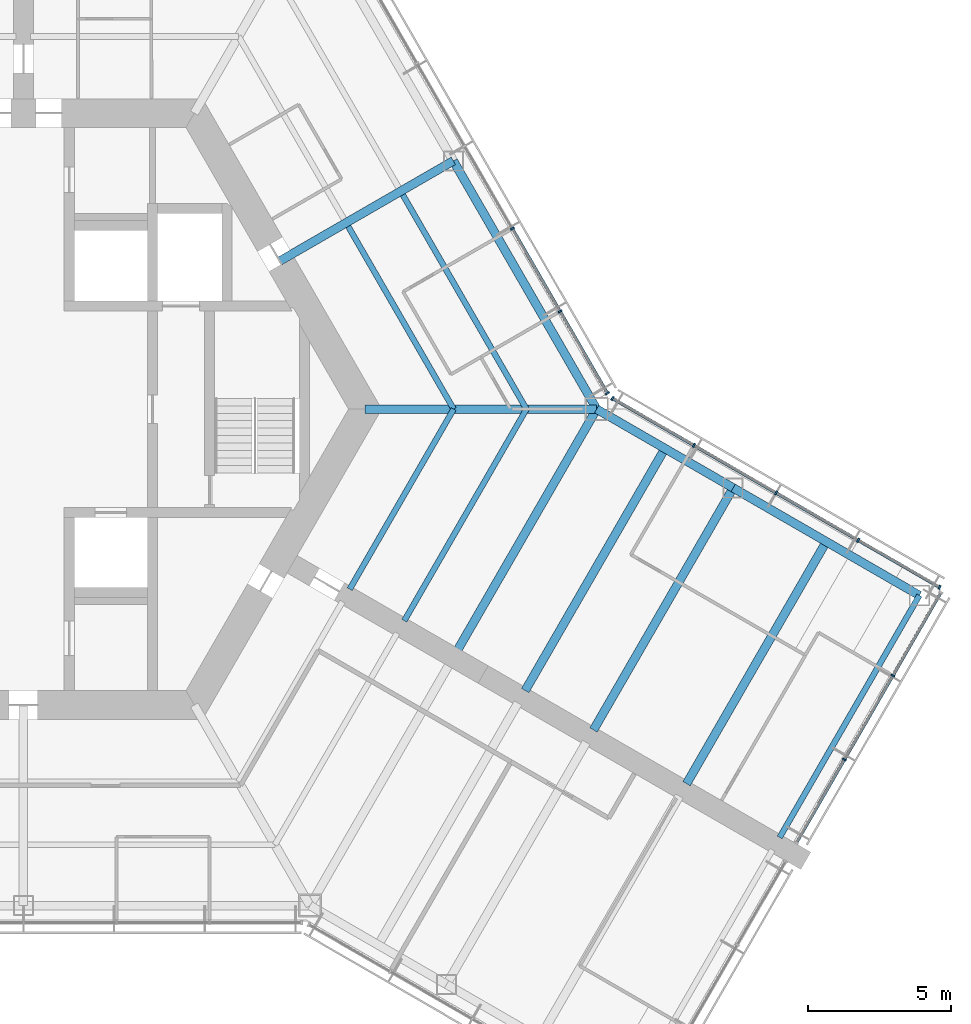
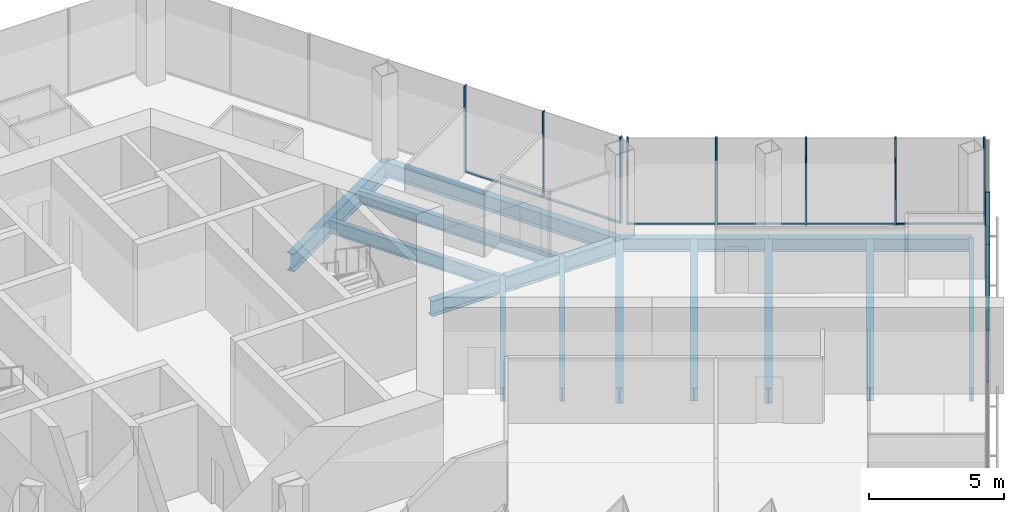
# One storey, part 6 of 18: 19 members, 14 beams, 3 elements without a shape of their own.
"""IFC4 building model written with IfcOpenShell, lengths in metres."""

from ifc_helpers import new_model, si_unit, direction, frame, origin, origin_2d, place, context, subcontext, project, spatial, rectangle, i_section, extrude, material, material_profile, profile_set, type_object, element, aggregate, save


model = new_model("IFC4")

# Units and contexts
model_context = context("Model", 3, precision=1e-05, world=origin(), true_north=direction((0.0, 1.0)))
body_context = subcontext(model_context, "Body", "Model", "MODEL_VIEW")
ifc_project = project(units=[si_unit("LENGTHUNIT", "METRE"), si_unit("AREAUNIT", "SQUARE_METRE"), si_unit("VOLUMEUNIT", "CUBIC_METRE"), si_unit("PLANEANGLEUNIT", "RADIAN"), si_unit("MASSUNIT", "GRAM", prefix="KILO")], contexts=[model_context])

# Site, building, storey
site_placement = place(None, origin())
site = spatial("IfcSite", under=ifc_project, at=site_placement, CompositionType="ELEMENT")
building_placement = place(site_placement, origin())
building = spatial("IfcBuilding", under=site, at=building_placement, Name="Kasaneha Research Tower", CompositionType="ELEMENT")
storey_placement = place(building_placement, frame((0.0, 0.0, 179.89990234375)))
storey = spatial("IfcBuildingStorey", under=building, at=storey_placement, Name="L45", CompositionType="ELEMENT", Elevation=179.89990234375)

# Beams
ifc_material_1 = material(Name="Steel SN490B", Category="steel")
ifc_material_profile_1 = material_profile(ifc_material_1, i_section(OverallWidth=0.199951171875, OverallDepth=0.60009765625, WebThickness=0.010986328125, FlangeThickness=0.01708984375, FilletRadius=0.012939453125, at=origin_2d()), Name="H-600x200x11x17")
ifc_profile_set_1 = profile_set([ifc_material_profile_1], Name="Steel SN490B")
beam_type_1 = type_object("IfcBeamType", Name="B1-3 secondary beam H-600x200x11x17", PredefinedType="JOIST", material=ifc_profile_set_1)
beam_1_placement = place(storey_placement, frame((15.010986328125, 0.0, -0.449951171875), z_axis=(-0.499994443168, 0.866028611999, 0.0), x_axis=(-0.866028611999, -0.499994443168, 0.0)))
element("IfcBeam", 1, at=beam_1_placement, inside=storey, type_object=beam_type_1, Name="Secondary beam RS030L1 L45", PredefinedType="JOIST", context=body_context, shape_type="SweptSolid", body=[
    extrude(i_section(OverallWidth=0.199951171875, OverallDepth=0.60009765625, WebThickness=0.010986328125, FlangeThickness=0.01708984375, FilletRadius=0.012939453125, at=origin_2d()), origin(), (0.0, 0.0, 1.0), 7.35546875),
])
beam_2_placement = place(storey_placement, frame((17.551513671875, 0.0, -0.449951171875), z_axis=(-0.5000050195, 0.866022505755, 0.0), x_axis=(-0.866022505755, -0.5000050195, 0.0)))
element("IfcBeam", 2, at=beam_2_placement, inside=storey, type_object=beam_type_1, Name="Secondary beam RS030L2 L45", PredefinedType="JOIST", context=body_context, shape_type="SweptSolid", body=[
    extrude(i_section(OverallWidth=0.199951171875, OverallDepth=0.60009765625, WebThickness=0.010986328125, FlangeThickness=0.01708984375, FilletRadius=0.012939453125, at=origin_2d()), origin(), (0.0, 0.0, 1.0), 8.6259765625),
])
beam_3_placement = place(storey_placement, frame((15.010986328125, 0.0, -0.449951171875), z_axis=(-0.499993340521, -0.866029248602, 0.0), x_axis=(0.866029248602, -0.499993340521, 0.0)))
element("IfcBeam", 3, at=beam_3_placement, inside=storey, type_object=beam_type_1, Name="Secondary beam RS330R1 L45", PredefinedType="JOIST", context=body_context, shape_type="SweptSolid", body=[
    extrude(i_section(OverallWidth=0.199951171875, OverallDepth=0.60009765625, WebThickness=0.010986328125, FlangeThickness=0.01708984375, FilletRadius=0.012939453125, at=origin_2d()), origin(), (0.0, 0.0, 1.0), 7.25537109375),
])
beam_4_placement = place(storey_placement, frame((17.551513671875, 0.0, -0.449951171875), z_axis=(-0.500004205306, -0.866022975836, 0.0), x_axis=(0.866022975836, -0.500004205306, 0.0)))
element("IfcBeam", 4, at=beam_4_placement, inside=storey, type_object=beam_type_1, Name="Secondary beam RS330R2 L45", PredefinedType="JOIST", context=body_context, shape_type="SweptSolid", body=[
    extrude(i_section(OverallWidth=0.199951171875, OverallDepth=0.60009765625, WebThickness=0.010986328125, FlangeThickness=0.01708984375, FilletRadius=0.012939453125, at=origin_2d()), origin(), (0.0, 0.0, 1.0), 8.52587890625),
])
ifc_material_2 = material(Name="Steel SN490B", Category="steel")
ifc_material_profile_2 = material_profile(ifc_material_2, i_section(OverallWidth=0.300048828125, OverallDepth=0.58203125, WebThickness=0.011962890625, FlangeThickness=0.01708984375, FilletRadius=0.012939453125, at=origin_2d()), Name="H-582x300x12x17")
ifc_profile_set_2 = profile_set([ifc_material_profile_2], Name="Steel SN490B")
beam_type_2 = type_object("IfcBeamType", Name="B2-3 secondary beam H-582x300x12x17", PredefinedType="JOIST", material=ifc_profile_set_2)
for number, where, z_axis, x_axis, name in (
    (5, (22.381591796875, -1.375, -0.44091796875), (-0.499995560238, -0.866027967067, 0.0), (0.866027967067, -0.499995560238, 0.0), "Secondary beam WBCN1 L45"),
    (6, (28.0107421875, -4.625, -0.44091796875), (-0.499995560238, -0.866027967067, 0.0), (0.866027967067, -0.499995560238, 0.0), "Secondary beam WBCN2 L45"),
):
    element("IfcBeam", number, at=place(storey_placement, frame(where, z_axis=z_axis, x_axis=x_axis)), inside=storey, type_object=beam_type_2, Name=name, PredefinedType="JOIST", context=body_context, shape_type="SweptSolid", body=[
        extrude(i_section(OverallWidth=0.300048828125, OverallDepth=0.58203125, WebThickness=0.011962890625, FlangeThickness=0.01708984375, FilletRadius=0.012939453125, at=origin_2d()), origin(), (0.0, 0.0, 1.0), 9.75),
    ])

# Curtain wall, members
ifc_material_3 = material(Name="Glass and aluminium", Category="aluminium")
curtain_wall_type = type_object("IfcCurtainWallType", Name="Mid-rise office curtain wall", PredefinedType="USERDEFINED", material=ifc_material_3)
curtain_wall_1_placement = place(storey_placement, origin())
curtain_wall_1 = element("IfcCurtainWall", 7, at=curtain_wall_1_placement, inside=storey, type_object=curtain_wall_type, Name="CW-O2 L45 run 04a", ObjectType="UNITISED CURTAIN WALL", PredefinedType="USERDEFINED")
ifc_material_4 = material(Name="Aluminium 6063-T6", Category="aluminium")
ifc_material_profile_3 = material_profile(ifc_material_4, rectangle(XDim=0.06005859375, YDim=0.14990234375, at=origin_2d()), Name="CW-O2 mullion 60x150")
ifc_profile_set_3 = profile_set([ifc_material_profile_3], Name="Aluminium 6063-T6")
member_type_1 = type_object("IfcMemberType", Name="CW-O2 mullion", PredefinedType="MULLION", material=ifc_profile_set_3)
member_1_placement = place(storey_placement, frame((28.64453125, -12.22705078125, 0.0), z_axis=(0.0, 0.0, 1.0), x_axis=(0.500000011442, 0.866025397178, 0.0)))
member_1 = element("IfcMember", 8, at=member_1_placement, type_object=member_type_1, Name="CW-O2 mullion 2", PredefinedType="MULLION", context=body_context, shape_type="SweptSolid", body=[
    extrude(rectangle(XDim=0.06005859375, YDim=0.14990234375, at=origin_2d()), origin(), (0.0, 0.0, 1.0), 3.900146484375),
])
member_2_placement = place(storey_placement, frame((30.336181640625, -9.297119140625, 0.0), z_axis=(0.0, 0.0, 1.0), x_axis=(0.500000011442, 0.866025397178, 0.0)))
member_2 = element("IfcMember", 9, at=member_2_placement, type_object=member_type_1, Name="CW-O2 mullion 3", PredefinedType="MULLION", context=body_context, shape_type="SweptSolid", body=[
    extrude(rectangle(XDim=0.06005859375, YDim=0.14990234375, at=origin_2d()), origin(), (0.0, 0.0, 1.0), 3.900146484375),
])

curtain_wall_2_placement = place(storey_placement, origin())
curtain_wall_2 = element("IfcCurtainWall", 10, at=curtain_wall_2_placement, inside=storey, type_object=curtain_wall_type, Name="CW-O2 L45 run 05a", ObjectType="UNITISED CURTAIN WALL", PredefinedType="USERDEFINED")
member_3_placement = place(storey_placement, frame((31.96533203125, -6.21533203125, 0.0), z_axis=(0.0, 0.0, 1.0), x_axis=(-0.866025411464, 0.499999986699, 0.0)))
member_3 = element("IfcMember", 11, at=member_3_placement, type_object=member_type_1, Name="CW-O2 mullion 1", PredefinedType="MULLION", context=body_context, shape_type="SweptSolid", body=[
    extrude(rectangle(XDim=0.06005859375, YDim=0.14990234375, at=origin_2d()), origin(), (0.0, 0.0, 1.0), 3.900146484375),
])
member_4_placement = place(storey_placement, frame((29.125, -4.575439453125, 0.0), z_axis=(0.0, 0.0, 1.0), x_axis=(-0.866025411464, 0.499999986699, 0.0)))
member_4 = element("IfcMember", 12, at=member_4_placement, type_object=member_type_1, Name="CW-O2 mullion 2", PredefinedType="MULLION", context=body_context, shape_type="SweptSolid", body=[
    extrude(rectangle(XDim=0.06005859375, YDim=0.14990234375, at=origin_2d()), origin(), (0.0, 0.0, 1.0), 3.900146484375),
])
member_5_placement = place(storey_placement, frame((26.258544921875, -2.920654296875, 0.0), z_axis=(0.0, 0.0, 1.0), x_axis=(-0.866025411464, 0.499999986699, 0.0)))
member_5 = element("IfcMember", 13, at=member_5_placement, type_object=member_type_1, Name="CW-O2 mullion 3", PredefinedType="MULLION", context=body_context, shape_type="SweptSolid", body=[
    extrude(rectangle(XDim=0.06005859375, YDim=0.14990234375, at=origin_2d()), origin(), (0.0, 0.0, 1.0), 3.900146484375),
])
member_6_placement = place(storey_placement, frame((23.39208984375, -1.265625, 0.0), z_axis=(0.0, 0.0, 1.0), x_axis=(-0.866025411464, 0.499999986699, 0.0)))
member_6 = element("IfcMember", 14, at=member_6_placement, type_object=member_type_1, Name="CW-O2 mullion 4", PredefinedType="MULLION", context=body_context, shape_type="SweptSolid", body=[
    extrude(rectangle(XDim=0.06005859375, YDim=0.14990234375, at=origin_2d()), origin(), (0.0, 0.0, 1.0), 3.900146484375),
])
member_7_placement = place(storey_placement, frame((20.5517578125, 0.374267578125, 0.0), z_axis=(0.0, 0.0, 1.0), x_axis=(-0.866025411464, 0.499999986699, 0.0)))
member_7 = element("IfcMember", 15, at=member_7_placement, type_object=member_type_1, Name="CW-O2 mullion 5", PredefinedType="MULLION", context=body_context, shape_type="SweptSolid", body=[
    extrude(rectangle(XDim=0.06005859375, YDim=0.14990234375, at=origin_2d()), origin(), (0.0, 0.0, 1.0), 3.900146484375),
])

curtain_wall_3_placement = place(storey_placement, origin())
curtain_wall_3 = element("IfcCurtainWall", 16, at=curtain_wall_3_placement, inside=storey, type_object=curtain_wall_type, Name="CW-O2 L45 run 06a", ObjectType="UNITISED CURTAIN WALL", PredefinedType="USERDEFINED")
member_8_placement = place(storey_placement, frame((20.374267578125, 0.5517578125, 0.0), z_axis=(0.0, 0.0, 1.0), x_axis=(-0.499999979232, 0.866025415775, 0.0)))
member_8 = element("IfcMember", 17, at=member_8_placement, type_object=member_type_1, Name="CW-O2 mullion 1", PredefinedType="MULLION", context=body_context, shape_type="SweptSolid", body=[
    extrude(rectangle(XDim=0.06005859375, YDim=0.14990234375, at=origin_2d()), origin(), (0.0, 0.0, 1.0), 3.900146484375),
])
member_9_placement = place(storey_placement, frame((18.723876953125, 3.410400390625, 0.0), z_axis=(0.0, 0.0, 1.0), x_axis=(-0.499999979232, 0.866025415775, 0.0)))
member_9 = element("IfcMember", 18, at=member_9_placement, type_object=member_type_1, Name="CW-O2 mullion 2", PredefinedType="MULLION", context=body_context, shape_type="SweptSolid", body=[
    extrude(rectangle(XDim=0.06005859375, YDim=0.14990234375, at=origin_2d()), origin(), (0.0, 0.0, 1.0), 3.900146484375),
])
member_10_placement = place(storey_placement, frame((17.058349609375, 6.295166015625, 0.0), z_axis=(0.0, 0.0, 1.0), x_axis=(-0.499999979232, 0.866025415775, 0.0)))
member_10 = element("IfcMember", 19, at=member_10_placement, type_object=member_type_1, Name="CW-O2 mullion 3", PredefinedType="MULLION", context=body_context, shape_type="SweptSolid", body=[
    extrude(rectangle(XDim=0.06005859375, YDim=0.14990234375, at=origin_2d()), origin(), (0.0, 0.0, 1.0), 3.900146484375),
])

# Member
ifc_material_5 = material(Name="Aluminium 6063-T6", Category="aluminium")
ifc_material_profile_4 = material_profile(ifc_material_5, rectangle(XDim=0.110107421875, YDim=0.06005859375, at=origin_2d()), Name="CW-O2 transom 110x60")
ifc_profile_set_4 = profile_set([ifc_material_profile_4], Name="Aluminium 6063-T6")
member_type_2 = type_object("IfcMemberType", Name="CW-O2 transom", PredefinedType="USERDEFINED", material=ifc_profile_set_4)
member_11_placement = place(storey_placement, frame((26.98291015625, -15.105224609375, 0.030029296875), z_axis=(0.500021914551, 0.866012751043, 0.0), x_axis=(-0.866012751043, 0.500021914551, 0.0)))
member_11 = element("IfcMember", 20, at=member_11_placement, type_object=member_type_2, Name="CW-O2 transom 1", ObjectType="TRANSOM", PredefinedType="USERDEFINED", context=body_context, shape_type="SweptSolid", body=[
    extrude(rectangle(XDim=0.110107421875, YDim=0.06005859375, at=origin_2d()), origin(), (0.0, 0.0, 1.0), 3.293212890625),
])

member_12_placement = place(storey_placement, frame((28.65966796875, -12.201171875, 0.030029296875), z_axis=(0.499978935311, 0.866037565146, 0.0), x_axis=(-0.866037565146, 0.499978935311, 0.0)))
member_12 = element("IfcMember", 21, at=member_12_placement, type_object=member_type_2, Name="CW-O2 transom 2", ObjectType="TRANSOM", PredefinedType="USERDEFINED", context=body_context, shape_type="SweptSolid", body=[
    extrude(rectangle(XDim=0.110107421875, YDim=0.06005859375, at=origin_2d()), origin(), (0.0, 0.0, 1.0), 3.323486328125),
])

member_13_placement = place(storey_placement, frame((30.351318359375, -9.27099609375, 0.030029296875), z_axis=(0.500021914551, 0.866012751043, 0.0), x_axis=(-0.866012751043, 0.500021914551, 0.0)))
member_13 = element("IfcMember", 22, at=member_13_placement, type_object=member_type_2, Name="CW-O2 transom 3", ObjectType="TRANSOM", PredefinedType="USERDEFINED", context=body_context, shape_type="SweptSolid", body=[
    extrude(rectangle(XDim=0.110107421875, YDim=0.06005859375, at=origin_2d()), origin(), (0.0, 0.0, 1.0), 3.293212890625),
])

aggregate(curtain_wall_1, [member_1, member_2, member_11, member_12, member_13])

member_14_placement = place(storey_placement, frame((31.939453125, -6.200439453125, 0.030029296875), z_axis=(-0.866041647767, 0.499971863542, 0.0), x_axis=(-0.499971863542, -0.866041647767, 0.0)))
member_14 = element("IfcMember", 23, at=member_14_placement, type_object=member_type_2, Name="CW-O2 transom 1", ObjectType="TRANSOM", PredefinedType="USERDEFINED", context=body_context, shape_type="SweptSolid", body=[
    extrude(rectangle(XDim=0.110107421875, YDim=0.06005859375, at=origin_2d()), origin(), (0.0, 0.0, 1.0), 3.219970703125),
])

member_15_placement = place(storey_placement, frame((29.098876953125, -4.560546875, 0.030029296875), z_axis=(-0.86599666273, 0.500049777664, 0.0), x_axis=(-0.500049777664, -0.86599666273, 0.0)))
member_15 = element("IfcMember", 24, at=member_15_placement, type_object=member_type_2, Name="CW-O2 transom 2", ObjectType="TRANSOM", PredefinedType="USERDEFINED", context=body_context, shape_type="SweptSolid", body=[
    extrude(rectangle(XDim=0.110107421875, YDim=0.06005859375, at=origin_2d()), origin(), (0.0, 0.0, 1.0), 3.249755859375),
])

member_16_placement = place(storey_placement, frame((26.232666015625, -2.905517578125, 0.030029296875), z_axis=(-0.86604797581, 0.499960902066, 0.0), x_axis=(-0.499960902066, -0.86604797581, 0.0)))
member_16 = element("IfcMember", 25, at=member_16_placement, type_object=member_type_2, Name="CW-O2 transom 3", ObjectType="TRANSOM", PredefinedType="USERDEFINED", context=body_context, shape_type="SweptSolid", body=[
    extrude(rectangle(XDim=0.110107421875, YDim=0.06005859375, at=origin_2d()), origin(), (0.0, 0.0, 1.0), 3.249755859375),
])

member_17_placement = place(storey_placement, frame((23.3662109375, -1.250732421875, 0.030029296875), z_axis=(-0.866022692473, 0.500004696101, 0.0), x_axis=(-0.500004696101, -0.866022692473, 0.0)))
member_17 = element("IfcMember", 26, at=member_17_placement, type_object=member_type_2, Name="CW-O2 transom 4", ObjectType="TRANSOM", PredefinedType="USERDEFINED", context=body_context, shape_type="SweptSolid", body=[
    extrude(rectangle(XDim=0.110107421875, YDim=0.06005859375, at=origin_2d()), origin(), (0.0, 0.0, 1.0), 3.2197265625),
])

aggregate(curtain_wall_2, [member_3, member_4, member_5, member_6, member_7, member_14, member_15, member_16, member_17])

member_18_placement = place(storey_placement, frame((20.359130859375, 0.577880859375, 0.030029296875), z_axis=(-0.499987643696, 0.866032537582, 0.0), x_axis=(-0.866032537582, -0.499987643696, 0.0)))
member_18 = element("IfcMember", 27, at=member_18_placement, type_object=member_type_2, Name="CW-O2 transom 1", ObjectType="TRANSOM", PredefinedType="USERDEFINED", context=body_context, shape_type="SweptSolid", body=[
    extrude(rectangle(XDim=0.110107421875, YDim=0.06005859375, at=origin_2d()), origin(), (0.0, 0.0, 1.0), 3.24072265625),
])

member_19_placement = place(storey_placement, frame((18.708740234375, 3.4365234375, 0.030029296875), z_axis=(-0.500000270186, 0.866025247793, 0.0), x_axis=(-0.866025247793, -0.500000270186, 0.0)))
member_19 = element("IfcMember", 28, at=member_19_placement, type_object=member_type_2, Name="CW-O2 transom 2", ObjectType="TRANSOM", PredefinedType="USERDEFINED", context=body_context, shape_type="SweptSolid", body=[
    extrude(rectangle(XDim=0.110107421875, YDim=0.06005859375, at=origin_2d()), origin(), (0.0, 0.0, 1.0), 3.27099609375),
])

aggregate(curtain_wall_3, [member_8, member_9, member_10, member_18, member_19])

# Beams
ifc_material_6 = material(Name="Steel SN490B", Category="steel")
ifc_material_profile_5 = material_profile(ifc_material_6, i_section(OverallWidth=0.300048828125, OverallDepth=0.699951171875, WebThickness=0.012939453125, FlangeThickness=0.02392578125, FilletRadius=0.01806640625, at=origin_2d()), Name="H-700x300x13x24")
ifc_profile_set_5 = profile_set([ifc_material_profile_5], Name="Steel SN490B")
beam_type_3 = type_object("IfcBeamType", Name="G1-3 radial girder H-700x300x13x24", PredefinedType="BEAM", material=ifc_profile_set_5)
beam_5_placement = place(storey_placement, frame((11.92236328125, 0.0, -0.5), z_axis=(1.0, 0.0, 0.0), x_axis=(0.0, 1.0, 0.0)))
element("IfcBeam", 29, at=beam_5_placement, inside=storey, type_object=beam_type_3, Name="Radial girder RV000 L45", PredefinedType="BEAM", context=body_context, shape_type="SweptSolid", body=[
    extrude(i_section(OverallWidth=0.300048828125, OverallDepth=0.699951171875, WebThickness=0.012939453125, FlangeThickness=0.02392578125, FilletRadius=0.01806640625, at=origin_2d()), origin(), (0.0, 0.0, 1.0), 8.07763671875),
])
ifc_material_7 = material(Name="Steel SN490B", Category="steel")
ifc_material_profile_6 = material_profile(ifc_material_7, i_section(OverallWidth=0.300048828125, OverallDepth=0.800048828125, WebThickness=0.013916015625, FlangeThickness=0.02587890625, FilletRadius=0.01806640625, at=origin_2d()), Name="H-800x300x14x26")
ifc_profile_set_6 = profile_set([ifc_material_profile_6], Name="Steel SN490B")
beam_type_4 = type_object("IfcBeamType", Name="G2-3 radial girder H-800x300x14x26", PredefinedType="BEAM", material=ifc_profile_set_6)
beam_6_placement = place(storey_placement, frame((8.941650390625, 5.16259765625, -0.5498046875), z_axis=(0.866039713508, 0.499975214012, 0.0), x_axis=(-0.499975214012, 0.866039713508, 0.0)))
element("IfcBeam", 30, at=beam_6_placement, inside=storey, type_object=beam_type_4, Name="Radial girder RM030 L45", PredefinedType="BEAM", context=body_context, shape_type="SweptSolid", body=[
    extrude(i_section(OverallWidth=0.300048828125, OverallDepth=0.800048828125, WebThickness=0.013916015625, FlangeThickness=0.02587890625, FilletRadius=0.01806640625, at=origin_2d()), origin(), (0.0, 0.0, 1.0), 6.995361328125),
])
ifc_material_8 = material(Name="Steel SN490B", Category="steel")
ifc_material_profile_7 = material_profile(ifc_material_8, i_section(OverallWidth=0.300048828125, OverallDepth=0.69189453125, WebThickness=0.012939453125, FlangeThickness=0.02001953125, FilletRadius=0.01806640625, at=origin_2d()), Name="H-692x300x13x20")
ifc_profile_set_7 = profile_set([ifc_material_profile_7], Name="Steel SN490B")
beam_type_5 = type_object("IfcBeamType", Name="G3-3 plate edge girder H-692x300x13x20", PredefinedType="BEAM", material=ifc_profile_set_7)
beam_7_placement = place(storey_placement, frame((20.0, 0.0, -0.495849609375), z_axis=(-0.499995560238, -0.866027967067, 0.0), x_axis=(0.866027967067, -0.499995560238, 0.0)))
element("IfcBeam", 31, at=beam_7_placement, inside=storey, type_object=beam_type_5, Name="Plate edge girder PECN L45", PredefinedType="BEAM", context=body_context, shape_type="SweptSolid", body=[
    extrude(i_section(OverallWidth=0.300048828125, OverallDepth=0.69189453125, WebThickness=0.012939453125, FlangeThickness=0.02001953125, FilletRadius=0.01806640625, at=origin_2d()), origin(), (0.0, 0.0, 1.0), 9.75),
])
ifc_material_9 = material(Name="Steel SN490B", Category="steel")
ifc_material_profile_8 = material_profile(ifc_material_9, i_section(OverallWidth=0.300048828125, OverallDepth=0.699951171875, WebThickness=0.012939453125, FlangeThickness=0.02392578125, FilletRadius=0.01806640625, at=origin_2d()), Name="H-700x300x13x24")
ifc_profile_set_8 = profile_set([ifc_material_profile_8], Name="Steel SN490B")
beam_type_6 = type_object("IfcBeamType", Name="G4-3 wing girder H-700x300x13x24", PredefinedType="BEAM", material=ifc_profile_set_8)
beam_8_placement = place(storey_placement, frame((24.76318359375, -2.75, -0.5), z_axis=(-0.499995560238, -0.866027967067, 0.0), x_axis=(0.866027967067, -0.499995560238, 0.0)))
element("IfcBeam", 32, at=beam_8_placement, inside=storey, type_object=beam_type_6, Name="Wing girder WGCN L45", PredefinedType="BEAM", context=body_context, shape_type="SweptSolid", body=[
    extrude(i_section(OverallWidth=0.300048828125, OverallDepth=0.699951171875, WebThickness=0.012939453125, FlangeThickness=0.02392578125, FilletRadius=0.01806640625, at=origin_2d()), origin(), (0.0, 0.0, 1.0), 9.75),
])
ifc_material_10 = material(Name="Steel SN490B", Category="steel")
ifc_material_profile_9 = material_profile(ifc_material_10, i_section(OverallWidth=0.300048828125, OverallDepth=0.69189453125, WebThickness=0.012939453125, FlangeThickness=0.02001953125, FilletRadius=0.01806640625, at=origin_2d()), Name="H-692x300x13x20")
ifc_profile_set_9 = profile_set([ifc_material_profile_9], Name="Steel SN490B")
beam_type_7 = type_object("IfcBeamType", Name="SB1-3 spandrel beam H-692x300x13x20", PredefinedType="SPANDREL", material=ifc_profile_set_9)
beam_9_placement = place(storey_placement, frame((20.0, 0.0, -0.495849609375), z_axis=(-0.500004234368, 0.866022959057, 0.0), x_axis=(-0.866022959057, -0.500004234368, 0.0)))
element("IfcBeam", 33, at=beam_9_placement, inside=storey, type_object=beam_type_7, Name="Spandrel beam SR030L L45", PredefinedType="SPANDREL", context=body_context, shape_type="SweptSolid", body=[
    extrude(i_section(OverallWidth=0.300048828125, OverallDepth=0.69189453125, WebThickness=0.012939453125, FlangeThickness=0.02001953125, FilletRadius=0.01806640625, at=origin_2d()), origin(), (0.0, 0.0, 1.0), 10.0),
])
ifc_material_11 = material(Name="Steel SN490B", Category="steel")
ifc_material_profile_10 = material_profile(ifc_material_11, i_section(OverallWidth=0.300048828125, OverallDepth=0.58203125, WebThickness=0.011962890625, FlangeThickness=0.01708984375, FilletRadius=0.012939453125, at=origin_2d()), Name="H-582x300x12x17")
ifc_profile_set_10 = profile_set([ifc_material_profile_10], Name="Steel SN490B")
beam_type_8 = type_object("IfcBeamType", Name="SB2-3 spandrel beam H-582x300x12x17", PredefinedType="SPANDREL", material=ifc_profile_set_10)
beam_10_placement = place(storey_placement, frame((20.0, 0.0, -0.44091796875), z_axis=(0.866027397988, -0.499996545922, 0.0), x_axis=(0.499996545922, 0.866027397988, 0.0)))
element("IfcBeam", 34, at=beam_10_placement, inside=storey, type_object=beam_type_8, Name="Spandrel beam WSCN1 L45", PredefinedType="SPANDREL", context=body_context, shape_type="SweptSolid", body=[
    extrude(i_section(OverallWidth=0.300048828125, OverallDepth=0.58203125, WebThickness=0.011962890625, FlangeThickness=0.01708984375, FilletRadius=0.012939453125, at=origin_2d()), origin(), (0.0, 0.0, 1.0), 5.5),
])
beam_11_placement = place(storey_placement, frame((24.76318359375, -2.75, -0.44091796875), z_axis=(0.866022959057, -0.500004234368, 0.0), x_axis=(0.500004234368, 0.866022959057, 0.0)))
element("IfcBeam", 35, at=beam_11_placement, inside=storey, type_object=beam_type_8, Name="Spandrel beam WSCN2 L45", PredefinedType="SPANDREL", context=body_context, shape_type="SweptSolid", body=[
    extrude(i_section(OverallWidth=0.300048828125, OverallDepth=0.58203125, WebThickness=0.011962890625, FlangeThickness=0.01708984375, FilletRadius=0.012939453125, at=origin_2d()), origin(), (0.0, 0.0, 1.0), 7.5),
])
ifc_material_12 = material(Name="Steel SN490B", Category="steel")
ifc_material_profile_11 = material_profile(ifc_material_12, i_section(OverallWidth=0.199951171875, OverallDepth=0.60009765625, WebThickness=0.010986328125, FlangeThickness=0.01708984375, FilletRadius=0.012939453125, at=origin_2d()), Name="H-600x200x11x17")
ifc_profile_set_11 = profile_set([ifc_material_profile_11], Name="Steel SN490B")
beam_type_9 = type_object("IfcBeamType", Name="SB3-3 spandrel beam H-600x200x11x17", PredefinedType="SPANDREL", material=ifc_profile_set_11)
beam_12_placement = place(storey_placement, frame((31.25830078125, -6.5, -0.449951171875), z_axis=(-0.499995560238, -0.866027967067, 0.0), x_axis=(0.866027967067, -0.499995560238, 0.0)))
element("IfcBeam", 36, at=beam_12_placement, inside=storey, type_object=beam_type_9, Name="Spandrel beam WTCN L45", PredefinedType="SPANDREL", context=body_context, shape_type="SweptSolid", body=[
    extrude(i_section(OverallWidth=0.199951171875, OverallDepth=0.60009765625, WebThickness=0.010986328125, FlangeThickness=0.01708984375, FilletRadius=0.012939453125, at=origin_2d()), origin(), (0.0, 0.0, 1.0), 9.75),
])

save(model, "model.ifc")
